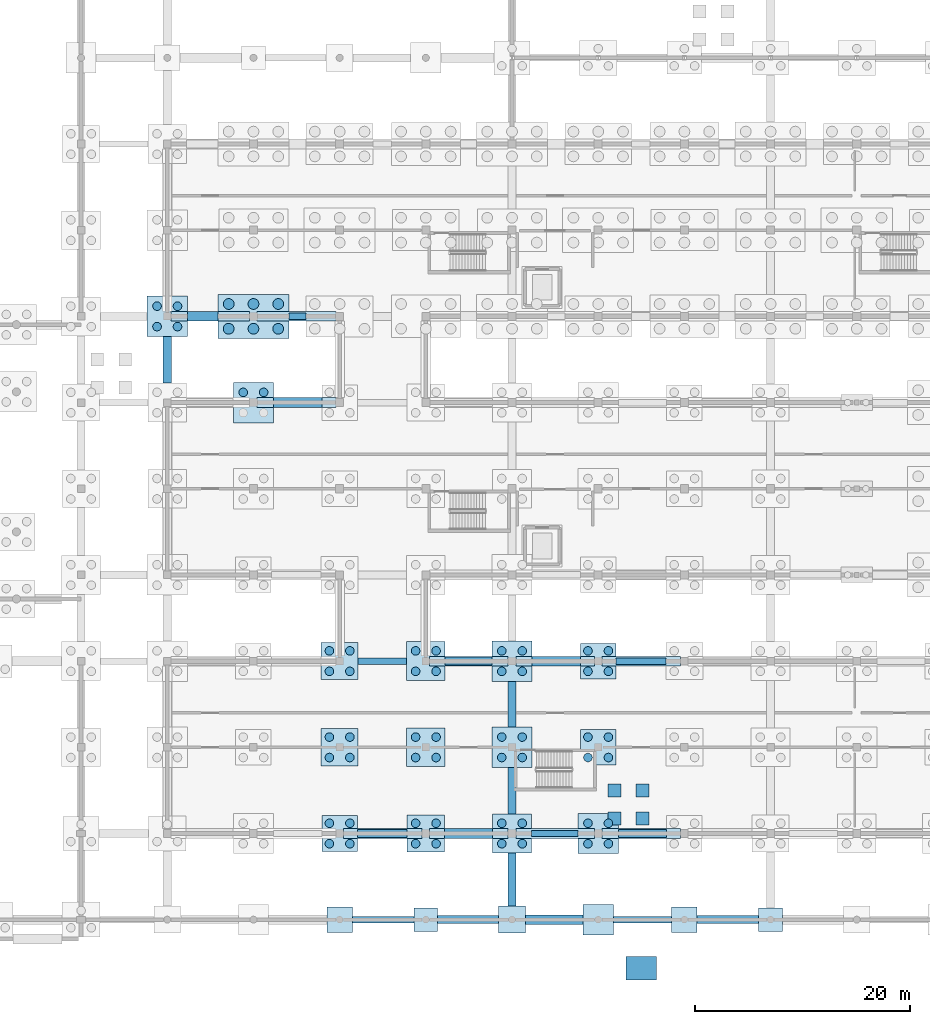
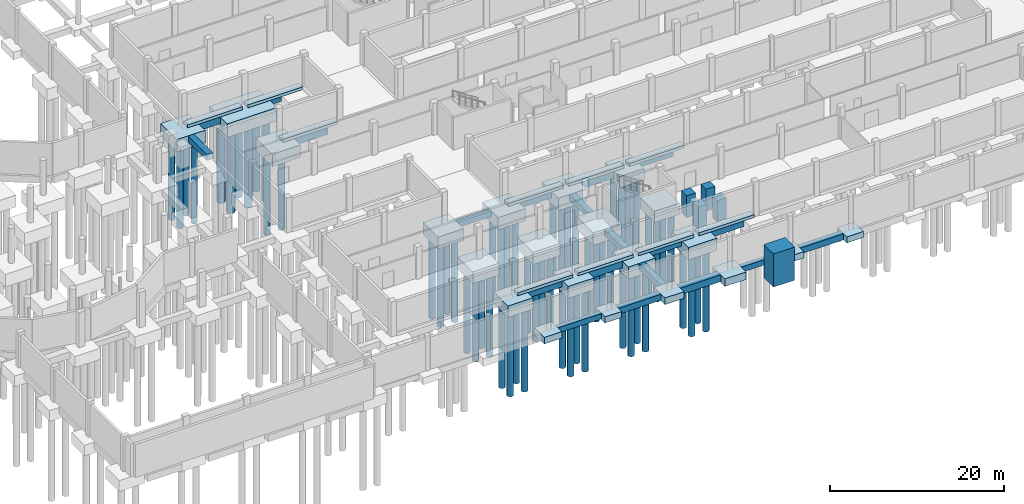
# One storey, part 4 of 51: 60 piles, 56 footings.
"""IFC4 building model written with IfcOpenShell, lengths in metres."""

import ifcopenshell
import ifcopenshell.guid

model = None  # the IFC model being written
_history = None  # IfcOwnerHistory: only IFC2X3 demands one
_inside = {}  # id of a spatial element -> (the spatial element, [elements in it])
_under = {}  # id of a project, library or spatial element -> (it, [spatial elements below it])
_declared = {}  # id of a project -> (the project, [libraries it declares])
_typed = {}  # id of a type object -> (the type object, [elements of that type])
_made_of = {}  # id of a material, layer set ... -> (it, [elements and type objects made of it])


def new_model(schema):
    """Start an empty IFC model of exactly this schema.

    Asked for "IFC4X3", IfcOpenShell would pick the latest addendum, in which some entities
    have other attributes; the version numbers below select the first issue.
    IFC2X3 requires an IfcOwnerHistory on every rooted entity: one is made here for all.
    """
    global model, _history
    if schema == "IFC4X3":
        model = ifcopenshell.file(schema_version=(4, 3, 0, 0))
    else:
        model = ifcopenshell.file(schema=schema)
    _inside.clear()
    _under.clear()
    _declared.clear()
    _typed.clear()
    _made_of.clear()
    _history = None
    if model.schema == "IFC2X3":
        org = make("IfcOrganization", Name="unknown")
        user = make(
            "IfcPersonAndOrganization",
            ThePerson=make("IfcPerson", FamilyName="unknown"),
            TheOrganization=org,
        )
        app = make(
            "IfcApplication",
            ApplicationDeveloper=org,
            Version="unknown",
            ApplicationFullName="unknown",
            ApplicationIdentifier="unknown",
        )
        _history = make(
            "IfcOwnerHistory",
            OwningUser=user,
            OwningApplication=app,
            ChangeAction="ADDED",
            CreationDate=0,
        )
    return model


def make(cls, **values):
    """One entity of the class cls with the attributes given. An attribute that is None is left unset."""
    return model.create_entity(
        cls, **{name: value for name, value in values.items() if value is not None}
    )


def rooted(cls, **values):
    """An entity with a GlobalId (a new one), such as an element, a storey or a relation."""
    return make(cls, GlobalId=ifcopenshell.guid.new(), OwnerHistory=_history, **values)


def si_unit(unit_type, name, prefix=None):
    """IfcSIUnit, for example si_unit("LENGTHUNIT", "METRE", prefix="MILLI")."""
    return make("IfcSIUnit", UnitType=unit_type, Prefix=prefix, Name=name)


def assignment(units):
    """IfcUnitAssignment: the units of a project."""
    return None if units is None else make("IfcUnitAssignment", Units=units)


def point(xyz):
    """IfcCartesianPoint."""
    return None if xyz is None else make("IfcCartesianPoint", Coordinates=xyz)


def direction(xyz):
    """IfcDirection."""
    return None if xyz is None else make("IfcDirection", DirectionRatios=xyz)


def frame(location, z_axis=None, x_axis=None):
    """IfcAxis2Placement3D, a coordinate frame: its origin and axes. An axis left out is left unset."""
    return make(
        "IfcAxis2Placement3D",
        Location=point(location),
        Axis=direction(z_axis),
        RefDirection=direction(x_axis),
    )


def frame_2d(location, x_axis=None):
    """IfcAxis2Placement2D, a coordinate frame in the plane: its origin and x axis."""
    return make(
        "IfcAxis2Placement2D", Location=point(location), RefDirection=direction(x_axis)
    )


def origin():
    """The frame at (0, 0, 0) with its axes left unset."""
    return frame((0.0, 0.0, 0.0))


def origin_2d():
    """The frame at (0, 0) in the plane with its x axis left unset."""
    return frame_2d((0.0, 0.0))


def place(relative_to, where):
    """IfcLocalPlacement: puts the frame where relative to a parent placement (None: the world)."""
    return make(
        "IfcLocalPlacement", PlacementRelTo=relative_to, RelativePlacement=where
    )


def context(
    kind, dimensions, precision=None, world=None, true_north=None, identifier=None
):
    """IfcGeometricRepresentationContext, for example the 3D "Model" context."""
    return make(
        "IfcGeometricRepresentationContext",
        ContextIdentifier=identifier,
        ContextType=kind,
        CoordinateSpaceDimension=dimensions,
        Precision=precision,
        WorldCoordinateSystem=world,
        TrueNorth=true_north,
    )


def subcontext(parent, identifier, kind, view, scale=None):
    """IfcGeometricRepresentationSubContext, for example "Body" below "Model"."""
    return make(
        "IfcGeometricRepresentationSubContext",
        ContextIdentifier=identifier,
        ContextType=kind,
        ParentContext=parent,
        TargetScale=scale,
        TargetView=view,
    )


def project(units=None, contexts=None):
    """IfcProject with its units and contexts."""
    return rooted(
        "IfcProject",
        Name="project",
        RepresentationContexts=contexts,
        UnitsInContext=assignment(units),
    )


def spatial(cls, under=None, at=None, **own):
    """A site, building, storey or space (cls), placed at a placement, below another one or the project."""
    s = rooted(cls, ObjectPlacement=at, **own)
    if under is not None:
        _under.setdefault(under.id(), (under, []))[1].append(s)
    return s


def profile(cls, at=None, kind="AREA", **sizes):
    """A parametric profile (cls). Its sizes go by their IFC names, for example OverallWidth=200.0."""
    return make(cls, ProfileType=kind, Position=at, **sizes)


def rectangle(**sizes):
    """IfcRectangleProfileDef."""
    return profile("IfcRectangleProfileDef", **sizes)


def circle(**sizes):
    """IfcCircleProfileDef."""
    return profile("IfcCircleProfileDef", **sizes)


def extrude(swept, where, along, depth):
    """IfcExtrudedAreaSolid: the profile swept, set in the frame where, extruded along a direction by depth."""
    return make(
        "IfcExtrudedAreaSolid",
        SweptArea=swept,
        Position=where,
        ExtrudedDirection=direction(along),
        Depth=depth,
    )


def shape(context_of_items, identifier, shape_type, items):
    """IfcShapeRepresentation: the items that make up one representation, for example the "Body"."""
    return make(
        "IfcShapeRepresentation",
        ContextOfItems=context_of_items,
        RepresentationIdentifier=identifier,
        RepresentationType=shape_type,
        Items=items,
    )


def material(Name=None, Category=None):
    """IfcMaterial."""
    return make("IfcMaterial", Name=Name, Category=Category)


def material_profile(
    of_material, cross_section, Name=None, Category=None, Priority=None
):
    """IfcMaterialProfile: a cross section and its material."""
    return make(
        "IfcMaterialProfile",
        Name=Name,
        Material=of_material,
        Profile=cross_section,
        Priority=Priority,
        Category=Category,
    )


def profile_set(profiles, Name=None, composite=None):
    """IfcMaterialProfileSet."""
    return make(
        "IfcMaterialProfileSet",
        Name=Name,
        MaterialProfiles=profiles,
        CompositeProfile=composite,
    )


def made_of(thing, what):
    """Note that an element or type object is made of a material, layer set ...; save() writes the relation."""
    if what is not None:
        _made_of.setdefault(what.id(), (what, []))[1].append(thing)
    return thing


def type_object(cls, material=None, **own):
    """A type object (cls), such as IfcWallType, which elements share."""
    return made_of(rooted(cls, **own), material)


def element(
    cls,
    number,
    at=None,
    inside=None,
    cuts=None,
    type_object=None,
    material=None,
    context=None,
    identifier="Body",
    shape_type=None,
    held_by="IfcProductDefinitionShape",
    body=None,
    shapes=None,
    **own,
):
    """One element of the class cls, such as IfcWall. Its Tag is "e" and its number.

    at: its placement. inside: the storey or other place that contains it. cuts: it is an
    opening in that element (IfcRelVoidsElement). A single representation is given by context,
    identifier, shape_type and body (its items); several are given by shapes. held_by: the class
    of the entity that holds the representations. save() writes the other relations.
    """
    e = rooted(cls, Tag="e%d" % number, ObjectPlacement=at, **own)
    if body is not None:
        shapes = [shape(context, identifier, shape_type, body)]
    if shapes is not None:
        e.Representation = make(held_by, Representations=shapes)
    if inside is not None:
        _inside.setdefault(inside.id(), (inside, []))[1].append(e)
    if cuts is not None:
        rooted(
            "IfcRelVoidsElement", RelatingBuildingElement=cuts, RelatedOpeningElement=e
        )
    if type_object is not None:
        _typed.setdefault(type_object.id(), (type_object, []))[1].append(e)
    return made_of(e, material)


def aggregate(whole, parts):
    """IfcRelAggregates: a whole, such as a stair, and the parts it consists of."""
    return rooted("IfcRelAggregates", RelatingObject=whole, RelatedObjects=parts)


def save(model, path):
    """Write the relations noted so far, then the file.

    IfcRelAggregates (storeys below a building ...), IfcRelContainedInSpatialStructure (elements
    in a storey), IfcRelDefinesByType, IfcRelAssociatesMaterial and IfcRelDeclares: one each for
    every whole, place, type object, material and project.
    """
    for whole, parts in _under.values():
        aggregate(whole, parts)
    for where, things in _inside.values():
        rooted(
            "IfcRelContainedInSpatialStructure",
            RelatedElements=things,
            RelatingStructure=where,
        )
    for kind, things in _typed.values():
        rooted("IfcRelDefinesByType", RelatedObjects=things, RelatingType=kind)
    for what, things in _made_of.values():
        rooted("IfcRelAssociatesMaterial", RelatedObjects=things, RelatingMaterial=what)
    for by, libraries in _declared.values():
        rooted("IfcRelDeclares", RelatingContext=by, RelatedDefinitions=libraries)
    model.write(path)


model = new_model("IFC4")

# Units and contexts
model_context = context("Model", 3, precision=1e-05, world=origin(), true_north=direction((0.0, 1.0)))
body_context = subcontext(model_context, "Body", "Model", "MODEL_VIEW")
ifc_project = project(units=[si_unit("LENGTHUNIT", "METRE"), si_unit("AREAUNIT", "SQUARE_METRE"), si_unit("VOLUMEUNIT", "CUBIC_METRE"), si_unit("PLANEANGLEUNIT", "RADIAN"), si_unit("MASSUNIT", "GRAM", prefix="KILO")], contexts=[model_context])

# Site, building, storey
site_placement = place(None, origin())
site = spatial("IfcSite", under=ifc_project, at=site_placement, CompositionType="ELEMENT")
building_placement = place(site_placement, origin())
building = spatial("IfcBuilding", under=site, at=building_placement, Name="Jelvoka-Kovrelna Polytechnic", CompositionType="ELEMENT")
storey_placement = place(building_placement, frame((0.0, 0.0, -4.5)))
storey = spatial("IfcBuildingStorey", under=building, at=storey_placement, Name="B01", CompositionType="ELEMENT", Elevation=-4.5)

# Footings
ifc_material_1 = material(Name="Concrete C35/45", Category="concrete")
footing_type_1 = type_object("IfcFootingType", Name="Footing_Pad_PF1", PredefinedType="PAD_FOOTING", material=ifc_material_1)
for number, where, z_axis, x_axis, name in (
    (1, (80.0, 0.0, -1.255126953125), (0.0, 0.0, 1.0), (1.0, 0.0, 0.0), "Isolated pad footing PF-004"),
    (2, (112.0, 0.0, -1.255126953125), (0.0, 0.0, 1.0), (1.0, 0.0, 0.0), "Isolated pad footing PF-008"),
):
    element("IfcFooting", number, at=place(storey_placement, frame(where, z_axis=z_axis, x_axis=x_axis)), inside=storey, type_object=footing_type_1, Name=name, PredefinedType="PAD_FOOTING", context=body_context, shape_type="SweptSolid", body=[
        extrude(rectangle(XDim=2.199951171875, YDim=2.199951171875, at=origin_2d()), origin(), (0.0, 0.0, 1.0), 0.85009765625),
    ])
for number, where, z_axis, x_axis, name in (
    (3, (97.5, 9.39990234375, -0.40478515625), (0.0, 0.0, 1.0), (1.0, 0.0, 0.0), "Lift pit support pier 01"),
    (4, (100.10009765625, 9.39990234375, -0.40478515625), (0.0, 0.0, 1.0), (1.0, 0.0, 0.0), "Lift pit support pier 02"),
    (5, (97.5, 12.0, -0.40478515625), (0.0, 0.0, 1.0), (1.0, 0.0, 0.0), "Lift pit support pier 03"),
    (6, (100.10009765625, 12.0, -0.40478515625), (0.0, 0.0, 1.0), (1.0, 0.0, 0.0), "Lift pit support pier 04"),
):
    element("IfcFooting", number, at=place(storey_placement, frame(where, z_axis=z_axis, x_axis=x_axis)), inside=storey, type_object=footing_type_1, Name=name, PredefinedType="PAD_FOOTING", context=body_context, shape_type="SweptSolid", body=[
        extrude(rectangle(XDim=1.199951171875, YDim=1.199951171875, at=origin_2d()), origin(), (0.0, 0.0, 1.0), 3.054931640625),
    ])
ifc_material_2 = material(Name="Concrete C35/45", Category="concrete")
footing_type_2 = type_object("IfcFootingType", Name="Footing_Pad_PF2", PredefinedType="PAD_FOOTING", material=ifc_material_2)
footing_1_placement = place(storey_placement, frame((88.0, 0.0, -1.35498046875), z_axis=(0.0, 0.0, 1.0), x_axis=(1.0, 0.0, 0.0)))
element("IfcFooting", 7, at=footing_1_placement, inside=storey, type_object=footing_type_2, Name="Isolated pad footing PF-005", PredefinedType="PAD_FOOTING", context=body_context, shape_type="SweptSolid", body=[
    extrude(rectangle(XDim=2.5, YDim=2.5, at=origin_2d()), origin(), (0.0, 0.0, 1.0), 0.949951171875),
])
ifc_material_3 = material(Name="Concrete C35/45", Category="concrete")
footing_type_3 = type_object("IfcFootingType", Name="Footing_Pad_PF3", PredefinedType="PAD_FOOTING", material=ifc_material_3)
footing_2_placement = place(storey_placement, frame((96.0, 0.0, -1.455078125), z_axis=(0.0, 0.0, 1.0), x_axis=(1.0, 0.0, 0.0)))
element("IfcFooting", 8, at=footing_2_placement, inside=storey, type_object=footing_type_3, Name="Isolated pad footing PF-006", PredefinedType="PAD_FOOTING", context=body_context, shape_type="SweptSolid", body=[
    extrude(rectangle(XDim=2.800048828125, YDim=2.800048828125, at=origin_2d()), origin(), (0.0, 0.0, 1.0), 1.050048828125),
])
footing_3_placement = place(storey_placement, frame((100.0, -4.5, -0.39990234375), z_axis=(0.0, 0.0, 1.0), x_axis=(1.0, 0.0, 0.0)))
element("IfcFooting", 9, at=footing_3_placement, inside=storey, type_object=footing_type_3, Name="Entrance ramp foot pier", PredefinedType="PAD_FOOTING", context=body_context, shape_type="SweptSolid", body=[
    extrude(rectangle(XDim=2.800048828125, YDim=2.199951171875, at=origin_2d()), origin(), (0.0, 0.0, 1.0), 4.639892578125),
])
ifc_material_4 = material(Name="Concrete C35/45", Category="concrete")
footing_type_4 = type_object("IfcFootingType", Name="Footing_Pad_PF4", PredefinedType="PAD_FOOTING", material=ifc_material_4)
for number, where, z_axis, x_axis, name in (
    (10, (72.0, 0.0, -1.304931640625), (0.0, 0.0, 1.0), (1.0, 0.0, 0.0), "Isolated pad footing PF-003"),
    (11, (104.0, 0.0, -1.304931640625), (0.0, 0.0, 1.0), (1.0, 0.0, 0.0), "Isolated pad footing PF-007"),
):
    element("IfcFooting", number, at=place(storey_placement, frame(where, z_axis=z_axis, x_axis=x_axis)), inside=storey, type_object=footing_type_4, Name=name, PredefinedType="PAD_FOOTING", context=body_context, shape_type="SweptSolid", body=[
        extrude(rectangle(XDim=2.35009765625, YDim=2.35009765625, at=origin_2d()), origin(), (0.0, 0.0, 1.0), 0.89990234375),
    ])
ifc_material_5 = material(Name="Concrete C35/45", Category="concrete")
footing_type_5 = type_object("IfcFootingType", Name="Footing_PileCap_PC4A", PredefinedType="PILE_CAP", material=ifc_material_5)
for number, where, z_axis, x_axis, name in (
    (12, (72.0, 8.0, -2.005126953125), (0.0, 0.0, 1.0), (1.0, 0.0, 0.0), "Bored pile cap 016 (PC-4)"),
    (13, (96.0, 16.0, -2.005126953125), (0.0, 0.0, 1.0), (1.0, 0.0, 0.0), "Bored pile cap 040 (PC-4)"),
    (14, (96.0, 24.0, -2.005126953125), (0.0, 0.0, 1.0), (1.0, 0.0, 0.0), "Bored pile cap 064 (PC-4)"),
):
    element("IfcFooting", number, at=place(storey_placement, frame(where, z_axis=z_axis, x_axis=x_axis)), inside=storey, type_object=footing_type_5, Name=name, PredefinedType="PILE_CAP", context=body_context, shape_type="SweptSolid", body=[
        extrude(rectangle(XDim=3.300048828125, YDim=3.300048828125, at=origin_2d()), origin(), (0.0, 0.0, 1.0), 1.60009765625),
    ])
ifc_material_6 = material(Name="Concrete C35/45", Category="concrete")
footing_type_6 = type_object("IfcFootingType", Name="Footing_PileCap_PC4B", PredefinedType="PILE_CAP", material=ifc_material_6)
for number, where, z_axis, x_axis, name in (
    (15, (80.0, 8.0, -2.054931640625), (0.0, 0.0, 1.0), (1.0, 0.0, 0.0), "Bored pile cap 017 (PC-4)"),
    (16, (72.0, 16.0, -2.054931640625), (0.0, 0.0, 1.0), (1.0, 0.0, 0.0), "Bored pile cap 037 (PC-4)"),
    (17, (72.0, 24.0, -2.054931640625), (0.0, 0.0, 1.0), (1.0, 0.0, 0.0), "Bored pile cap 061 (PC-4)"),
):
    element("IfcFooting", number, at=place(storey_placement, frame(where, z_axis=z_axis, x_axis=x_axis)), inside=storey, type_object=footing_type_6, Name=name, PredefinedType="PILE_CAP", context=body_context, shape_type="SweptSolid", body=[
        extrude(rectangle(XDim=3.449951171875, YDim=3.449951171875, at=origin_2d()), origin(), (0.0, 0.0, 1.0), 1.64990234375),
    ])
ifc_material_7 = material(Name="Concrete C35/45", Category="concrete")
footing_type_7 = type_object("IfcFootingType", Name="Footing_PileCap_PC4C", PredefinedType="PILE_CAP", material=ifc_material_7)
for number, where, z_axis, x_axis, name in (
    (18, (88.0, 8.0, -2.10498046875), (0.0, 0.0, 1.0), (1.0, 0.0, 0.0), "Bored pile cap 018 (PC-4)"),
    (19, (80.0, 16.0, -2.10498046875), (0.0, 0.0, 1.0), (1.0, 0.0, 0.0), "Bored pile cap 038 (PC-4)"),
    (20, (80.0, 24.0, -2.10498046875), (0.0, 0.0, 1.0), (1.0, 0.0, 0.0), "Bored pile cap 062 (PC-4)"),
):
    element("IfcFooting", number, at=place(storey_placement, frame(where, z_axis=z_axis, x_axis=x_axis)), inside=storey, type_object=footing_type_7, Name=name, PredefinedType="PILE_CAP", context=body_context, shape_type="SweptSolid", body=[
        extrude(rectangle(XDim=3.60009765625, YDim=3.60009765625, at=origin_2d()), origin(), (0.0, 0.0, 1.0), 1.699951171875),
    ])
ifc_material_8 = material(Name="Concrete C35/45", Category="concrete")
footing_type_8 = type_object("IfcFootingType", Name="Footing_PileCap_PC4D", PredefinedType="PILE_CAP", material=ifc_material_8)
for number, where, z_axis, x_axis, name in (
    (21, (96.0, 8.0, -2.155029296875), (0.0, 0.0, 1.0), (1.0, 0.0, 0.0), "Bored pile cap 019 (PC-4)"),
    (22, (88.0, 16.0, -2.155029296875), (0.0, 0.0, 1.0), (1.0, 0.0, 0.0), "Bored pile cap 039 (PC-4)"),
    (23, (88.0, 24.0, -2.155029296875), (0.0, 0.0, 1.0), (1.0, 0.0, 0.0), "Bored pile cap 063 (PC-4)"),
    (24, (64.0, 48.0, -2.155029296875), (0.0, 0.0, 1.0), (1.0, 0.0, 0.0), "Bored pile cap 135 (PC-4)"),
    (25, (56.0, 56.0, -2.155029296875), (0.0, 0.0, 1.0), (1.0, 0.0, 0.0), "Bored pile cap 163 (PC-4)"),
):
    element("IfcFooting", number, at=place(storey_placement, frame(where, z_axis=z_axis, x_axis=x_axis)), inside=storey, type_object=footing_type_8, Name=name, PredefinedType="PILE_CAP", context=body_context, shape_type="SweptSolid", body=[
        extrude(rectangle(XDim=3.75, YDim=3.75, at=origin_2d()), origin(), (0.0, 0.0, 1.0), 1.75),
    ])
ifc_material_9 = material(Name="Concrete C35/45", Category="concrete")
footing_type_9 = type_object("IfcFootingType", Name="Footing_PileCap_PC6C", PredefinedType="PILE_CAP", material=ifc_material_9)
footing_4_placement = place(storey_placement, frame((64.0, 56.0, -2.304931640625), z_axis=(0.0, 0.0, 1.0), x_axis=(1.0, 0.0, 0.0)))
element("IfcFooting", 26, at=footing_4_placement, inside=storey, type_object=footing_type_9, Name="Bored pile cap 164 (PC-6)", PredefinedType="PILE_CAP", context=body_context, shape_type="SweptSolid", body=[
    extrude(rectangle(XDim=6.60009765625, YDim=4.10009765625, at=origin_2d()), origin(), (0.0, 0.0, 1.0), 1.89990234375),
])
ifc_material_10 = material(Name="Concrete C35/45", Category="concrete")
footing_type_10 = type_object("IfcFootingType", Name="Footing_Strip_SF1", PredefinedType="STRIP_FOOTING", material=ifc_material_10)
footing_5_placement = place(storey_placement, frame((68.10009765625, 56.0, -1.155029296875), z_axis=(0.0, 0.0, 1.0), x_axis=(1.0, 0.0, 0.0)))
element("IfcFooting", 27, at=footing_5_placement, inside=storey, type_object=footing_type_10, Name="Strip foundation tie beam 057", PredefinedType="STRIP_FOOTING", context=body_context, shape_type="SweptSolid", body=[
    extrude(rectangle(XDim=1.595947265625, YDim=0.60009765625, at=origin_2d()), origin(), (0.0, 0.0, 1.0), 0.75),
])
footing_6_placement = place(storey_placement, frame((76.03759765625, 0.0, -1.155029296875), z_axis=(0.0, 0.0, 1.0), x_axis=(1.0, 0.0, 0.0)))
element("IfcFooting", 28, at=footing_6_placement, inside=storey, type_object=footing_type_10, Name="Strip foundation tie beam 061", PredefinedType="STRIP_FOOTING", context=body_context, shape_type="SweptSolid", body=[
    extrude(rectangle(XDim=5.720947265625, YDim=0.60009765625, at=origin_2d()), origin(), (0.0, 0.0, 1.0), 0.75),
])
footing_7_placement = place(storey_placement, frame((75.96240234375, 24.0, -1.155029296875), z_axis=(0.0, 0.0, 1.0), x_axis=(1.0, 0.0, 0.0)))
element("IfcFooting", 29, at=footing_7_placement, inside=storey, type_object=footing_type_10, Name="Strip foundation tie beam 063", PredefinedType="STRIP_FOOTING", context=body_context, shape_type="SweptSolid", body=[
    extrude(rectangle(XDim=4.470947265625, YDim=0.60009765625, at=origin_2d()), origin(), (0.0, 0.0, 1.0), 0.75),
])
footing_8_placement = place(storey_placement, frame((91.96240234375, 8.0, -1.155029296875), z_axis=(0.0, 0.0, 1.0), x_axis=(1.0, 0.0, 0.0)))
element("IfcFooting", 30, at=footing_8_placement, inside=storey, type_object=footing_type_10, Name="Strip foundation tie beam 081", PredefinedType="STRIP_FOOTING", context=body_context, shape_type="SweptSolid", body=[
    extrude(rectangle(XDim=4.321044921875, YDim=0.60009765625, at=origin_2d()), origin(), (0.0, 0.0, 1.0), 0.75),
])
footing_9_placement = place(storey_placement, frame((100.112548828125, 0.0, -1.155029296875), z_axis=(0.0, 0.0, 1.0), x_axis=(1.0, 0.0, 0.0)))
element("IfcFooting", 31, at=footing_9_placement, inside=storey, type_object=footing_type_10, Name="Strip foundation tie beam 103", PredefinedType="STRIP_FOOTING", context=body_context, shape_type="SweptSolid", body=[
    extrude(rectangle(XDim=5.4208984375, YDim=0.60009765625, at=origin_2d()), origin(), (0.0, 0.0, 1.0), 0.75),
])
footing_10_placement = place(storey_placement, frame((99.96240234375, 24.0, -1.155029296875), z_axis=(0.0, 0.0, 1.0), x_axis=(1.0, 0.0, 0.0)))
element("IfcFooting", 32, at=footing_10_placement, inside=storey, type_object=footing_type_10, Name="Strip foundation tie beam 105", PredefinedType="STRIP_FOOTING", context=body_context, shape_type="SweptSolid", body=[
    extrude(rectangle(XDim=4.62109375, YDim=0.60009765625, at=origin_2d()), origin(), (0.0, 0.0, 1.0), 0.75),
])
ifc_material_11 = material(Name="Concrete C35/45", Category="concrete")
footing_type_11 = type_object("IfcFootingType", Name="Footing_Strip_SF2", PredefinedType="STRIP_FOOTING", material=ifc_material_11)
footing_11_placement = place(storey_placement, frame((56.0, 51.96240234375, -1.255126953125), z_axis=(0.0, 0.0, 1.0), x_axis=(0.0, 1.0, 0.0)))
element("IfcFooting", 33, at=footing_11_placement, inside=storey, type_object=footing_type_11, Name="Strip foundation tie beam 043", PredefinedType="STRIP_FOOTING", context=body_context, shape_type="SweptSolid", body=[
    extrude(rectangle(XDim=4.321044921875, YDim=0.75, at=origin_2d()), origin(), (0.0, 0.0, 1.0), 0.85009765625),
])
footing_12_placement = place(storey_placement, frame((75.96240234375, 8.0, -1.255126953125), z_axis=(0.0, 0.0, 1.0), x_axis=(1.0, 0.0, 0.0)))
element("IfcFooting", 34, at=footing_12_placement, inside=storey, type_object=footing_type_11, Name="Strip foundation tie beam 062", PredefinedType="STRIP_FOOTING", context=body_context, shape_type="SweptSolid", body=[
    extrude(rectangle(XDim=4.62109375, YDim=0.75, at=origin_2d()), origin(), (0.0, 0.0, 1.0), 0.85009765625),
])
footing_13_placement = place(storey_placement, frame((83.925048828125, 0.0, -1.255126953125), z_axis=(0.0, 0.0, 1.0), x_axis=(1.0, 0.0, 0.0)))
element("IfcFooting", 35, at=footing_13_placement, inside=storey, type_object=footing_type_11, Name="Strip foundation tie beam 070", PredefinedType="STRIP_FOOTING", context=body_context, shape_type="SweptSolid", body=[
    extrude(rectangle(XDim=5.64599609375, YDim=0.75, at=origin_2d()), origin(), (0.0, 0.0, 1.0), 0.85009765625),
])
footing_14_placement = place(storey_placement, frame((83.96240234375, 24.0, -1.255126953125), z_axis=(0.0, 0.0, 1.0), x_axis=(1.0, 0.0, 0.0)))
element("IfcFooting", 36, at=footing_14_placement, inside=storey, type_object=footing_type_11, Name="Strip foundation tie beam 072", PredefinedType="STRIP_FOOTING", context=body_context, shape_type="SweptSolid", body=[
    extrude(rectangle(XDim=4.321044921875, YDim=0.75, at=origin_2d()), origin(), (0.0, 0.0, 1.0), 0.85009765625),
])
footing_15_placement = place(storey_placement, frame((88.0, 3.72509765625, -1.255126953125), z_axis=(0.0, 0.0, 1.0), x_axis=(0.0, 1.0, 0.0)))
element("IfcFooting", 37, at=footing_15_placement, inside=storey, type_object=footing_type_11, Name="Strip foundation tie beam 080", PredefinedType="STRIP_FOOTING", context=body_context, shape_type="SweptSolid", body=[
    extrude(rectangle(XDim=4.946044921875, YDim=0.75, at=origin_2d()), origin(), (0.0, 0.0, 1.0), 0.85009765625),
])
footing_16_placement = place(storey_placement, frame((88.0, 11.96240234375, -1.255126953125), z_axis=(0.0, 0.0, 1.0), x_axis=(0.0, 1.0, 0.0)))
element("IfcFooting", 38, at=footing_16_placement, inside=storey, type_object=footing_type_11, Name="Strip foundation tie beam 082", PredefinedType="STRIP_FOOTING", context=body_context, shape_type="SweptSolid", body=[
    extrude(rectangle(XDim=4.321044921875, YDim=0.75, at=origin_2d()), origin(), (0.0, 0.0, 1.0), 0.85009765625),
])
footing_17_placement = place(storey_placement, frame((88.0, 20.0, -1.255126953125), z_axis=(0.0, 0.0, 1.0), x_axis=(0.0, 1.0, 0.0)))
element("IfcFooting", 39, at=footing_17_placement, inside=storey, type_object=footing_type_11, Name="Strip foundation tie beam 083", PredefinedType="STRIP_FOOTING", context=body_context, shape_type="SweptSolid", body=[
    extrude(rectangle(XDim=4.24609375, YDim=0.75, at=origin_2d()), origin(), (0.0, 0.0, 1.0), 0.85009765625),
])
footing_18_placement = place(storey_placement, frame((100.112548828125, 8.0, -1.255126953125), z_axis=(0.0, 0.0, 1.0), x_axis=(1.0, 0.0, 0.0)))
element("IfcFooting", 40, at=footing_18_placement, inside=storey, type_object=footing_type_11, Name="Strip foundation tie beam 104", PredefinedType="STRIP_FOOTING", context=body_context, shape_type="SweptSolid", body=[
    extrude(rectangle(XDim=4.470947265625, YDim=0.75, at=origin_2d()), origin(), (0.0, 0.0, 1.0), 0.85009765625),
])
footing_19_placement = place(storey_placement, frame((108.03759765625, 0.0, -1.255126953125), z_axis=(0.0, 0.0, 1.0), x_axis=(1.0, 0.0, 0.0)))
element("IfcFooting", 41, at=footing_19_placement, inside=storey, type_object=footing_type_11, Name="Strip foundation tie beam 112", PredefinedType="STRIP_FOOTING", context=body_context, shape_type="SweptSolid", body=[
    extrude(rectangle(XDim=5.720947265625, YDim=0.75, at=origin_2d()), origin(), (0.0, 0.0, 1.0), 0.85009765625),
])
ifc_material_12 = material(Name="Concrete C35/45", Category="concrete")
footing_type_12 = type_object("IfcFootingType", Name="Footing_Strip_SF3", PredefinedType="STRIP_FOOTING", material=ifc_material_12)
footing_20_placement = place(storey_placement, frame((59.28759765625, 56.0, -1.35498046875), z_axis=(0.0, 0.0, 1.0), x_axis=(1.0, 0.0, 0.0)))
element("IfcFooting", 42, at=footing_20_placement, inside=storey, type_object=footing_type_12, Name="Strip foundation tie beam 044", PredefinedType="STRIP_FOOTING", context=body_context, shape_type="SweptSolid", body=[
    extrude(rectangle(XDim=2.821044921875, YDim=0.89990234375, at=origin_2d()), origin(), (0.0, 0.0, 1.0), 0.949951171875),
])
for number, where, z_axis, x_axis, name in (
    (43, (68.112548828125, 48.0, -1.35498046875), (0.0, 0.0, 1.0), (1.0, 0.0, 0.0), "Strip foundation tie beam 056"),
    (44, (83.96240234375, 8.0, -1.35498046875), (0.0, 0.0, 1.0), (1.0, 0.0, 0.0), "Strip foundation tie beam 071"),
):
    element("IfcFooting", number, at=place(storey_placement, frame(where, z_axis=z_axis, x_axis=x_axis)), inside=storey, type_object=footing_type_12, Name=name, PredefinedType="STRIP_FOOTING", context=body_context, shape_type="SweptSolid", body=[
        extrude(rectangle(XDim=4.470947265625, YDim=0.89990234375, at=origin_2d()), origin(), (0.0, 0.0, 1.0), 0.949951171875),
    ])
footing_21_placement = place(storey_placement, frame((91.925048828125, 0.0, -1.35498046875), z_axis=(0.0, 0.0, 1.0), x_axis=(1.0, 0.0, 0.0)))
element("IfcFooting", 45, at=footing_21_placement, inside=storey, type_object=footing_type_12, Name="Strip foundation tie beam 079", PredefinedType="STRIP_FOOTING", context=body_context, shape_type="SweptSolid", body=[
    extrude(rectangle(XDim=5.345947265625, YDim=0.89990234375, at=origin_2d()), origin(), (0.0, 0.0, 1.0), 0.949951171875),
])
footing_22_placement = place(storey_placement, frame((92.112548828125, 24.0, -1.35498046875), z_axis=(0.0, 0.0, 1.0), x_axis=(1.0, 0.0, 0.0)))
element("IfcFooting", 46, at=footing_22_placement, inside=storey, type_object=footing_type_12, Name="Strip foundation tie beam 084", PredefinedType="STRIP_FOOTING", context=body_context, shape_type="SweptSolid", body=[
    extrude(rectangle(XDim=4.470947265625, YDim=0.89990234375, at=origin_2d()), origin(), (0.0, 0.0, 1.0), 0.949951171875),
])
for number, where, z_axis, x_axis, name in (
    (47, (76.0, 8.0, -0.40478515625), (0.0, 0.0, 1.0), (1.0, 0.0, 0.0), "Strip foundation plinth beam B01W-005"),
    (48, (84.0, 8.0, -0.40478515625), (0.0, 0.0, 1.0), (1.0, 0.0, 0.0), "Strip foundation plinth beam B01W-006"),
    (49, (84.0, 24.0, -0.40478515625), (0.0, 0.0, 1.0), (1.0, 0.0, 0.0), "Strip foundation plinth beam B01W-007"),
    (50, (92.0, 8.0, -0.40478515625), (0.0, 0.0, 1.0), (1.0, 0.0, 0.0), "Strip foundation plinth beam B01W-008"),
    (51, (92.0, 24.0, -0.40478515625), (0.0, 0.0, 1.0), (1.0, 0.0, 0.0), "Strip foundation plinth beam B01W-009"),
    (52, (100.0, 8.0, -0.40478515625), (0.0, 0.0, 1.0), (1.0, 0.0, 0.0), "Strip foundation plinth beam B01W-010"),
    (53, (100.0, 24.0, -0.40478515625), (0.0, 0.0, 1.0), (1.0, 0.0, 0.0), "Strip foundation plinth beam B01W-011"),
    (54, (68.0, 48.0, -0.40478515625), (0.0, 0.0, 1.0), (1.0, 0.0, 0.0), "Strip foundation plinth beam B01W-040"),
    (55, (60.0, 56.0, -0.40478515625), (0.0, 0.0, 1.0), (1.0, 0.0, 0.0), "Strip foundation plinth beam B01W-071"),
    (56, (68.0, 56.0, -0.40478515625), (0.0, 0.0, 1.0), (1.0, 0.0, 0.0), "Strip foundation plinth beam B01W-073"),
):
    element("IfcFooting", number, at=place(storey_placement, frame(where, z_axis=z_axis, x_axis=x_axis)), inside=storey, type_object=footing_type_12, Name=name, PredefinedType="STRIP_FOOTING", context=body_context, shape_type="SweptSolid", body=[
        extrude(rectangle(XDim=7.300048828125, YDim=0.89990234375, at=origin_2d()), origin(), (0.0, 0.0, 1.0), 0.405029296875),
    ])

# Piles
ifc_material_13 = material(Name="Concrete C35/45", Category="concrete")
ifc_material_profile_1 = material_profile(ifc_material_13, circle(Radius=0.5, at=origin_2d()), Name="PILE D1000")
ifc_profile_set_1 = profile_set([ifc_material_profile_1], Name="Concrete C35/45")
pile_type_1 = type_object("IfcPileType", Name="Pile_Bored_1000", PredefinedType="BORED", material=ifc_profile_set_1)
for number, where, z_axis, x_axis, name in (
    (57, (61.699951171875, 54.85009765625, -2.205078125), (0.0, 0.0, -1.0), (1.0, 0.0, 0.0), "Bored concrete pile 164-1"),
    (58, (64.0, 54.85009765625, -2.205078125), (0.0, 0.0, -1.0), (1.0, 0.0, 0.0), "Bored concrete pile 164-2"),
    (59, (66.300048828125, 54.85009765625, -2.205078125), (0.0, 0.0, -1.0), (1.0, 0.0, 0.0), "Bored concrete pile 164-3"),
    (60, (61.699951171875, 57.14990234375, -2.205078125), (0.0, 0.0, -1.0), (1.0, 0.0, 0.0), "Bored concrete pile 164-4"),
    (61, (64.0, 57.14990234375, -2.205078125), (0.0, 0.0, -1.0), (1.0, 0.0, 0.0), "Bored concrete pile 164-5"),
    (62, (66.300048828125, 57.14990234375, -2.205078125), (0.0, 0.0, -1.0), (1.0, 0.0, 0.0), "Bored concrete pile 164-6"),
):
    element("IfcPile", number, at=place(storey_placement, frame(where, z_axis=z_axis, x_axis=x_axis)), inside=storey, type_object=pile_type_1, Name=name, PredefinedType="BORED", context=body_context, shape_type="SweptSolid", body=[
        extrude(circle(Radius=0.5, at=origin_2d()), origin(), (0.0, 0.0, 1.0), 11.294921875),
    ])
ifc_material_14 = material(Name="Concrete C35/45", Category="concrete")
ifc_material_profile_2 = material_profile(ifc_material_14, circle(Radius=0.39990234375, at=origin_2d()), Name="PILE D800")
ifc_profile_set_2 = profile_set([ifc_material_profile_2], Name="Concrete C35/45")
pile_type_2 = type_object("IfcPileType", Name="Pile_Bored_800", PredefinedType="BORED", material=ifc_profile_set_2)
for number, where, z_axis, x_axis, name in (
    (63, (71.050048828125, 7.050048828125, -1.905029296875), (0.0, 0.0, -1.0), (1.0, 0.0, 0.0), "Bored concrete pile 016-1"),
    (64, (72.949951171875, 7.050048828125, -1.905029296875), (0.0, 0.0, -1.0), (1.0, 0.0, 0.0), "Bored concrete pile 016-2"),
    (65, (71.050048828125, 8.949951171875, -1.905029296875), (0.0, 0.0, -1.0), (1.0, 0.0, 0.0), "Bored concrete pile 016-3"),
    (66, (72.949951171875, 8.949951171875, -1.905029296875), (0.0, 0.0, -1.0), (1.0, 0.0, 0.0), "Bored concrete pile 016-4"),
):
    element("IfcPile", number, at=place(storey_placement, frame(where, z_axis=z_axis, x_axis=x_axis)), inside=storey, type_object=pile_type_2, Name=name, PredefinedType="BORED", context=body_context, shape_type="SweptSolid", body=[
        extrude(circle(Radius=0.39990234375, at=origin_2d()), origin(), (0.0, 0.0, 1.0), 11.594970703125),
    ])
for number, where, z_axis, x_axis, name in (
    (67, (79.050048828125, 7.050048828125, -1.955078125), (0.0, 0.0, -1.0), (1.0, 0.0, 0.0), "Bored concrete pile 017-1"),
    (68, (80.949951171875, 7.050048828125, -1.955078125), (0.0, 0.0, -1.0), (1.0, 0.0, 0.0), "Bored concrete pile 017-2"),
    (69, (79.050048828125, 8.949951171875, -1.955078125), (0.0, 0.0, -1.0), (1.0, 0.0, 0.0), "Bored concrete pile 017-3"),
    (70, (80.949951171875, 8.949951171875, -1.955078125), (0.0, 0.0, -1.0), (1.0, 0.0, 0.0), "Bored concrete pile 017-4"),
):
    element("IfcPile", number, at=place(storey_placement, frame(where, z_axis=z_axis, x_axis=x_axis)), inside=storey, type_object=pile_type_2, Name=name, PredefinedType="BORED", context=body_context, shape_type="SweptSolid", body=[
        extrude(circle(Radius=0.39990234375, at=origin_2d()), origin(), (0.0, 0.0, 1.0), 11.544921875),
    ])
for number, where, z_axis, x_axis, name in (
    (71, (87.050048828125, 7.050048828125, -2.0048828125), (0.0, 0.0, -1.0), (1.0, 0.0, 0.0), "Bored concrete pile 018-1"),
    (72, (88.949951171875, 7.050048828125, -2.0048828125), (0.0, 0.0, -1.0), (1.0, 0.0, 0.0), "Bored concrete pile 018-2"),
    (73, (87.050048828125, 8.949951171875, -2.0048828125), (0.0, 0.0, -1.0), (1.0, 0.0, 0.0), "Bored concrete pile 018-3"),
    (74, (88.949951171875, 8.949951171875, -2.0048828125), (0.0, 0.0, -1.0), (1.0, 0.0, 0.0), "Bored concrete pile 018-4"),
):
    element("IfcPile", number, at=place(storey_placement, frame(where, z_axis=z_axis, x_axis=x_axis)), inside=storey, type_object=pile_type_2, Name=name, PredefinedType="BORED", context=body_context, shape_type="SweptSolid", body=[
        extrude(circle(Radius=0.39990234375, at=origin_2d()), origin(), (0.0, 0.0, 1.0), 11.4951171875),
    ])
for number, where, z_axis, x_axis, name in (
    (75, (95.050048828125, 7.050048828125, -2.054931640625), (0.0, 0.0, -1.0), (1.0, 0.0, 0.0), "Bored concrete pile 019-1"),
    (76, (96.949951171875, 7.050048828125, -2.054931640625), (0.0, 0.0, -1.0), (1.0, 0.0, 0.0), "Bored concrete pile 019-2"),
    (77, (95.050048828125, 8.949951171875, -2.054931640625), (0.0, 0.0, -1.0), (1.0, 0.0, 0.0), "Bored concrete pile 019-3"),
    (78, (96.949951171875, 8.949951171875, -2.054931640625), (0.0, 0.0, -1.0), (1.0, 0.0, 0.0), "Bored concrete pile 019-4"),
):
    element("IfcPile", number, at=place(storey_placement, frame(where, z_axis=z_axis, x_axis=x_axis)), inside=storey, type_object=pile_type_2, Name=name, PredefinedType="BORED", context=body_context, shape_type="SweptSolid", body=[
        extrude(circle(Radius=0.39990234375, at=origin_2d()), origin(), (0.0, 0.0, 1.0), 11.445068359375),
    ])
for number, where, z_axis, x_axis, name in (
    (79, (71.050048828125, 15.050048828125, -1.955078125), (0.0, 0.0, -1.0), (1.0, 0.0, 0.0), "Bored concrete pile 037-1"),
    (80, (72.949951171875, 15.050048828125, -1.955078125), (0.0, 0.0, -1.0), (1.0, 0.0, 0.0), "Bored concrete pile 037-2"),
    (81, (71.050048828125, 16.949951171875, -1.955078125), (0.0, 0.0, -1.0), (1.0, 0.0, 0.0), "Bored concrete pile 037-3"),
    (82, (72.949951171875, 16.949951171875, -1.955078125), (0.0, 0.0, -1.0), (1.0, 0.0, 0.0), "Bored concrete pile 037-4"),
):
    element("IfcPile", number, at=place(storey_placement, frame(where, z_axis=z_axis, x_axis=x_axis)), inside=storey, type_object=pile_type_2, Name=name, PredefinedType="BORED", context=body_context, shape_type="SweptSolid", body=[
        extrude(circle(Radius=0.39990234375, at=origin_2d()), origin(), (0.0, 0.0, 1.0), 11.544921875),
    ])
for number, where, z_axis, x_axis, name in (
    (83, (79.050048828125, 15.050048828125, -2.0048828125), (0.0, 0.0, -1.0), (1.0, 0.0, 0.0), "Bored concrete pile 038-1"),
    (84, (80.949951171875, 15.050048828125, -2.0048828125), (0.0, 0.0, -1.0), (1.0, 0.0, 0.0), "Bored concrete pile 038-2"),
    (85, (79.050048828125, 16.949951171875, -2.0048828125), (0.0, 0.0, -1.0), (1.0, 0.0, 0.0), "Bored concrete pile 038-3"),
    (86, (80.949951171875, 16.949951171875, -2.0048828125), (0.0, 0.0, -1.0), (1.0, 0.0, 0.0), "Bored concrete pile 038-4"),
):
    element("IfcPile", number, at=place(storey_placement, frame(where, z_axis=z_axis, x_axis=x_axis)), inside=storey, type_object=pile_type_2, Name=name, PredefinedType="BORED", context=body_context, shape_type="SweptSolid", body=[
        extrude(circle(Radius=0.39990234375, at=origin_2d()), origin(), (0.0, 0.0, 1.0), 11.4951171875),
    ])
for number, where, z_axis, x_axis, name in (
    (87, (87.050048828125, 15.050048828125, -2.054931640625), (0.0, 0.0, -1.0), (1.0, 0.0, 0.0), "Bored concrete pile 039-1"),
    (88, (88.949951171875, 15.050048828125, -2.054931640625), (0.0, 0.0, -1.0), (1.0, 0.0, 0.0), "Bored concrete pile 039-2"),
    (89, (87.050048828125, 16.949951171875, -2.054931640625), (0.0, 0.0, -1.0), (1.0, 0.0, 0.0), "Bored concrete pile 039-3"),
    (90, (88.949951171875, 16.949951171875, -2.054931640625), (0.0, 0.0, -1.0), (1.0, 0.0, 0.0), "Bored concrete pile 039-4"),
):
    element("IfcPile", number, at=place(storey_placement, frame(where, z_axis=z_axis, x_axis=x_axis)), inside=storey, type_object=pile_type_2, Name=name, PredefinedType="BORED", context=body_context, shape_type="SweptSolid", body=[
        extrude(circle(Radius=0.39990234375, at=origin_2d()), origin(), (0.0, 0.0, 1.0), 11.445068359375),
    ])
for number, where, z_axis, x_axis, name in (
    (91, (95.050048828125, 15.050048828125, -1.905029296875), (0.0, 0.0, -1.0), (1.0, 0.0, 0.0), "Bored concrete pile 040-1"),
    (92, (96.949951171875, 15.050048828125, -1.905029296875), (0.0, 0.0, -1.0), (1.0, 0.0, 0.0), "Bored concrete pile 040-2"),
    (93, (95.050048828125, 16.949951171875, -1.905029296875), (0.0, 0.0, -1.0), (1.0, 0.0, 0.0), "Bored concrete pile 040-3"),
    (94, (96.949951171875, 16.949951171875, -1.905029296875), (0.0, 0.0, -1.0), (1.0, 0.0, 0.0), "Bored concrete pile 040-4"),
):
    element("IfcPile", number, at=place(storey_placement, frame(where, z_axis=z_axis, x_axis=x_axis)), inside=storey, type_object=pile_type_2, Name=name, PredefinedType="BORED", context=body_context, shape_type="SweptSolid", body=[
        extrude(circle(Radius=0.39990234375, at=origin_2d()), origin(), (0.0, 0.0, 1.0), 11.594970703125),
    ])
for number, where, z_axis, x_axis, name in (
    (95, (71.050048828125, 23.050048828125, -1.955078125), (0.0, 0.0, -1.0), (1.0, 0.0, 0.0), "Bored concrete pile 061-1"),
    (96, (72.949951171875, 23.050048828125, -1.955078125), (0.0, 0.0, -1.0), (1.0, 0.0, 0.0), "Bored concrete pile 061-2"),
    (97, (71.050048828125, 24.949951171875, -1.955078125), (0.0, 0.0, -1.0), (1.0, 0.0, 0.0), "Bored concrete pile 061-3"),
    (98, (72.949951171875, 24.949951171875, -1.955078125), (0.0, 0.0, -1.0), (1.0, 0.0, 0.0), "Bored concrete pile 061-4"),
):
    element("IfcPile", number, at=place(storey_placement, frame(where, z_axis=z_axis, x_axis=x_axis)), inside=storey, type_object=pile_type_2, Name=name, PredefinedType="BORED", context=body_context, shape_type="SweptSolid", body=[
        extrude(circle(Radius=0.39990234375, at=origin_2d()), origin(), (0.0, 0.0, 1.0), 11.544921875),
    ])
for number, where, z_axis, x_axis, name in (
    (99, (79.050048828125, 23.050048828125, -2.0048828125), (0.0, 0.0, -1.0), (1.0, 0.0, 0.0), "Bored concrete pile 062-1"),
    (100, (80.949951171875, 23.050048828125, -2.0048828125), (0.0, 0.0, -1.0), (1.0, 0.0, 0.0), "Bored concrete pile 062-2"),
    (101, (79.050048828125, 24.949951171875, -2.0048828125), (0.0, 0.0, -1.0), (1.0, 0.0, 0.0), "Bored concrete pile 062-3"),
    (102, (80.949951171875, 24.949951171875, -2.0048828125), (0.0, 0.0, -1.0), (1.0, 0.0, 0.0), "Bored concrete pile 062-4"),
):
    element("IfcPile", number, at=place(storey_placement, frame(where, z_axis=z_axis, x_axis=x_axis)), inside=storey, type_object=pile_type_2, Name=name, PredefinedType="BORED", context=body_context, shape_type="SweptSolid", body=[
        extrude(circle(Radius=0.39990234375, at=origin_2d()), origin(), (0.0, 0.0, 1.0), 11.4951171875),
    ])
for number, where, z_axis, x_axis, name in (
    (103, (87.050048828125, 23.050048828125, -2.054931640625), (0.0, 0.0, -1.0), (1.0, 0.0, 0.0), "Bored concrete pile 063-1"),
    (104, (88.949951171875, 23.050048828125, -2.054931640625), (0.0, 0.0, -1.0), (1.0, 0.0, 0.0), "Bored concrete pile 063-2"),
    (105, (87.050048828125, 24.949951171875, -2.054931640625), (0.0, 0.0, -1.0), (1.0, 0.0, 0.0), "Bored concrete pile 063-3"),
    (106, (88.949951171875, 24.949951171875, -2.054931640625), (0.0, 0.0, -1.0), (1.0, 0.0, 0.0), "Bored concrete pile 063-4"),
):
    element("IfcPile", number, at=place(storey_placement, frame(where, z_axis=z_axis, x_axis=x_axis)), inside=storey, type_object=pile_type_2, Name=name, PredefinedType="BORED", context=body_context, shape_type="SweptSolid", body=[
        extrude(circle(Radius=0.39990234375, at=origin_2d()), origin(), (0.0, 0.0, 1.0), 11.445068359375),
    ])
for number, where, z_axis, x_axis, name in (
    (107, (95.050048828125, 23.050048828125, -1.905029296875), (0.0, 0.0, -1.0), (1.0, 0.0, 0.0), "Bored concrete pile 064-1"),
    (108, (96.949951171875, 23.050048828125, -1.905029296875), (0.0, 0.0, -1.0), (1.0, 0.0, 0.0), "Bored concrete pile 064-2"),
    (109, (95.050048828125, 24.949951171875, -1.905029296875), (0.0, 0.0, -1.0), (1.0, 0.0, 0.0), "Bored concrete pile 064-3"),
    (110, (96.949951171875, 24.949951171875, -1.905029296875), (0.0, 0.0, -1.0), (1.0, 0.0, 0.0), "Bored concrete pile 064-4"),
):
    element("IfcPile", number, at=place(storey_placement, frame(where, z_axis=z_axis, x_axis=x_axis)), inside=storey, type_object=pile_type_2, Name=name, PredefinedType="BORED", context=body_context, shape_type="SweptSolid", body=[
        extrude(circle(Radius=0.39990234375, at=origin_2d()), origin(), (0.0, 0.0, 1.0), 11.594970703125),
    ])
for number, where, z_axis, x_axis, name in (
    (111, (63.050048828125, 48.949951171875, -2.054931640625), (0.0, 0.0, -1.0), (1.0, 0.0, 0.0), "Bored concrete pile 135-3"),
    (112, (64.949951171875, 48.949951171875, -2.054931640625), (0.0, 0.0, -1.0), (1.0, 0.0, 0.0), "Bored concrete pile 135-4"),
    (113, (55.050048828125, 55.050048828125, -2.054931640625), (0.0, 0.0, -1.0), (1.0, 0.0, 0.0), "Bored concrete pile 163-1"),
    (114, (56.949951171875, 55.050048828125, -2.054931640625), (0.0, 0.0, -1.0), (1.0, 0.0, 0.0), "Bored concrete pile 163-2"),
    (115, (55.050048828125, 56.949951171875, -2.054931640625), (0.0, 0.0, -1.0), (1.0, 0.0, 0.0), "Bored concrete pile 163-3"),
    (116, (56.949951171875, 56.949951171875, -2.054931640625), (0.0, 0.0, -1.0), (1.0, 0.0, 0.0), "Bored concrete pile 163-4"),
):
    element("IfcPile", number, at=place(storey_placement, frame(where, z_axis=z_axis, x_axis=x_axis)), inside=storey, type_object=pile_type_2, Name=name, PredefinedType="BORED", context=body_context, shape_type="SweptSolid", body=[
        extrude(circle(Radius=0.39990234375, at=origin_2d()), origin(), (0.0, 0.0, 1.0), 11.445068359375),
    ])

save(model, "model.ifc")
